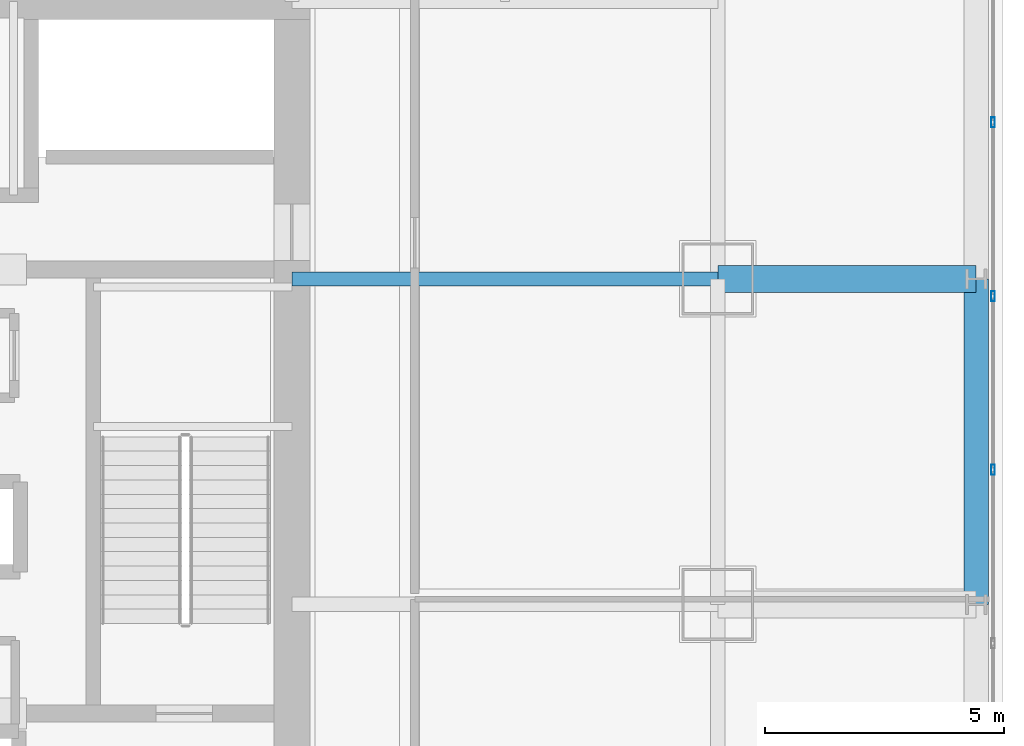
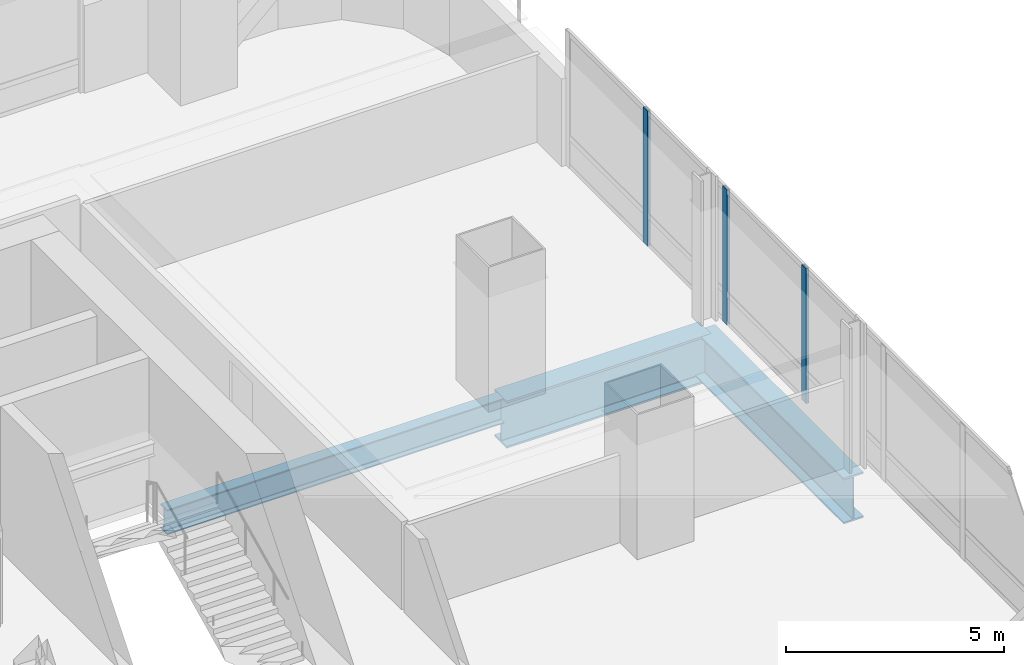
# One storey, part 17 of 42: 3 beams, 3 members, 1 element without a shape of its own.
"""IFC4 building model written with IfcOpenShell, lengths in metres."""

from ifc_helpers import new_model, si_unit, direction, frame, origin, origin_2d, place, context, subcontext, project, spatial, hollow_rectangle, i_section, extrude, material, material_profile, profile_set, type_object, element, aggregate, save


model = new_model("IFC4")

# Units and contexts
model_context = context("Model", 3, precision=1e-05, world=origin(), true_north=direction((0.0, 1.0)))
body_context = subcontext(model_context, "Body", "Model", "MODEL_VIEW")
ifc_project = project(units=[si_unit("LENGTHUNIT", "METRE"), si_unit("AREAUNIT", "SQUARE_METRE"), si_unit("VOLUMEUNIT", "CUBIC_METRE"), si_unit("PLANEANGLEUNIT", "RADIAN"), si_unit("MASSUNIT", "GRAM", prefix="KILO")], contexts=[model_context])

# Site, building, storey
site_placement = place(None, origin())
site = spatial("IfcSite", under=ifc_project, at=site_placement, CompositionType="ELEMENT")
building_placement = place(site_placement, origin())
building = spatial("IfcBuilding", under=site, at=building_placement, Name="Punatoya Terracotta Tower", CompositionType="ELEMENT")
storey_placement = place(building_placement, frame((0.0, 0.0, 88.949951171875)))
storey = spatial("IfcBuildingStorey", under=building, at=storey_placement, Name="L20", CompositionType="ELEMENT", Elevation=88.949951171875)

# Beams
ifc_material_1 = material(Name="Steel S355", Category="steel")
ifc_material_profile_1 = material_profile(ifc_material_1, i_section(OverallWidth=0.300048828125, OverallDepth=0.699951171875, WebThickness=0.01708984375, FlangeThickness=0.031982421875, FilletRadius=0.01806640625, at=origin_2d()))
ifc_profile_set_1 = profile_set([ifc_material_profile_1], Name="Steel S355")
beam_type_1 = type_object("IfcBeamType", Name="BM-PRI-700", PredefinedType="BEAM", material=ifc_profile_set_1)
beam_1_placement = place(storey_placement, frame((10.199951171875, 3.39990234375, -0.58984375), z_axis=(1.0, 0.0, 0.0), x_axis=(0.0, 1.0, 0.0)))
element("IfcBeam", 1, at=beam_1_placement, inside=storey, type_object=beam_type_1, Name="BM-L20-PR-EE", PredefinedType="BEAM", context=body_context, shape_type="SweptSolid", body=[
    extrude(i_section(OverallWidth=0.300048828125, OverallDepth=0.699951171875, WebThickness=0.01708984375, FlangeThickness=0.031982421875, FilletRadius=0.01806640625, at=origin_2d()), origin(), (0.0, 0.0, 1.0), 8.900146484375),
])
ifc_material_2 = material(Name="Steel S460", Category="steel")
ifc_material_profile_2 = material_profile(ifc_material_2, i_section(OverallWidth=0.56005859375, OverallDepth=1.320068359375, WebThickness=0.035888671875, FlangeThickness=0.054931640625, FilletRadius=0.01806640625, at=origin_2d()))
ifc_profile_set_2 = profile_set([ifc_material_profile_2], Name="Steel S460")
beam_type_2 = type_object("IfcBeamType", Name="BM-TG-BLK", PredefinedType="BEAM", material=ifc_profile_set_2)
beam_2_placement = place(storey_placement, frame((19.10009765625, 3.39990234375, -0.89990234375), z_axis=(1.0, 0.0, 0.0), x_axis=(0.0, 1.0, 0.0)))
element("IfcBeam", 2, at=beam_2_placement, inside=storey, type_object=beam_type_2, Name="BM-L20-CANT-E3", PredefinedType="BEAM", context=body_context, shape_type="SweptSolid", body=[
    extrude(i_section(OverallWidth=0.56005859375, OverallDepth=1.320068359375, WebThickness=0.035888671875, FlangeThickness=0.054931640625, FilletRadius=0.01806640625, at=origin_2d()), origin(), (0.0, 0.0, 1.0), 5.39990234375),
])
ifc_material_profile_3 = material_profile(ifc_material_2, i_section(OverallWidth=0.52001953125, OverallDepth=1.280029296875, WebThickness=0.031982421875, FlangeThickness=0.050048828125, FilletRadius=0.01806640625, at=origin_2d()))
ifc_profile_set_3 = profile_set([ifc_material_profile_3], Name="Steel S460")
beam_type_3 = type_object("IfcBeamType", Name="BM-TG-NCK", PredefinedType="BEAM", material=ifc_profile_set_3)
beam_3_placement = place(storey_placement, frame((24.5, -3.39990234375, -0.8798828125), z_axis=(0.0, 1.0, 0.0), x_axis=(-1.0, 0.0, 0.0)))
element("IfcBeam", 3, at=beam_3_placement, inside=storey, type_object=beam_type_3, Name="BM-L20-PER-E2", PredefinedType="BEAM", context=body_context, shape_type="SweptSolid", body=[
    extrude(i_section(OverallWidth=0.52001953125, OverallDepth=1.280029296875, WebThickness=0.031982421875, FlangeThickness=0.050048828125, FilletRadius=0.01806640625, at=origin_2d()), origin(), (0.0, 0.0, 1.0), 6.7998046875),
])

# Curtain wall, members
ifc_material_3 = material(Name="Aluminium 6063-T6 + Double Low-E Glass", Category="aluminium")
curtain_wall_type = type_object("IfcCurtainWallType", Name="CW-M1", PredefinedType="NOTDEFINED", material=ifc_material_3)
curtain_wall_placement = place(storey_placement, origin())
curtain_wall = element("IfcCurtainWall", 4, at=curtain_wall_placement, inside=storey, type_object=curtain_wall_type, Name="L20 Curtain Wall CW-L20-E05-1", PredefinedType="NOTDEFINED")
ifc_material_4 = material(Name="Aluminium 6063-T6", Category="aluminium")
ifc_material_profile_4 = material_profile(ifc_material_4, hollow_rectangle(XDim=0.074951171875, YDim=0.2099609375, WallThickness=0.00439453125, at=origin_2d()))
ifc_profile_set_4 = profile_set([ifc_material_profile_4], Name="Aluminium 6063-T6")
member_type = type_object("IfcMemberType", Name="CW-MUL-M1", PredefinedType="MULLION", material=ifc_profile_set_4)
member_1_placement = place(storey_placement, frame((24.85009765625, -0.585693359375, 0.0), z_axis=(0.0, 0.0, 1.0), x_axis=(1.0, 0.0, 0.0)))
member_1 = element("IfcMember", 5, at=member_1_placement, type_object=member_type, Name="CW-L20-E05-1 Mullion 04", PredefinedType="MULLION", context=body_context, shape_type="SweptSolid", body=[
    extrude(hollow_rectangle(XDim=0.074951171875, YDim=0.2099609375, WallThickness=0.00439453125, at=origin_2d()), origin(), (0.0, 0.0, 1.0), 3.77001953125),
])
member_2_placement = place(storey_placement, frame((24.85009765625, 3.04296875, 0.0), z_axis=(0.0, 0.0, 1.0), x_axis=(1.0, 0.0, 0.0)))
member_2 = element("IfcMember", 6, at=member_2_placement, type_object=member_type, Name="CW-L20-E05-1 Mullion 05", PredefinedType="MULLION", context=body_context, shape_type="SweptSolid", body=[
    extrude(hollow_rectangle(XDim=0.074951171875, YDim=0.2099609375, WallThickness=0.00439453125, at=origin_2d()), origin(), (0.0, 0.0, 1.0), 3.77001953125),
])
member_3_placement = place(storey_placement, frame((24.85009765625, 6.67138671875, 0.0), z_axis=(0.0, 0.0, 1.0), x_axis=(1.0, 0.0, 0.0)))
member_3 = element("IfcMember", 7, at=member_3_placement, type_object=member_type, Name="CW-L20-E05-1 Mullion 06", PredefinedType="MULLION", context=body_context, shape_type="SweptSolid", body=[
    extrude(hollow_rectangle(XDim=0.074951171875, YDim=0.2099609375, WallThickness=0.00439453125, at=origin_2d()), origin(), (0.0, 0.0, 1.0), 3.77001953125),
])
aggregate(curtain_wall, [member_1, member_2, member_3])

save(model, "model.ifc")
